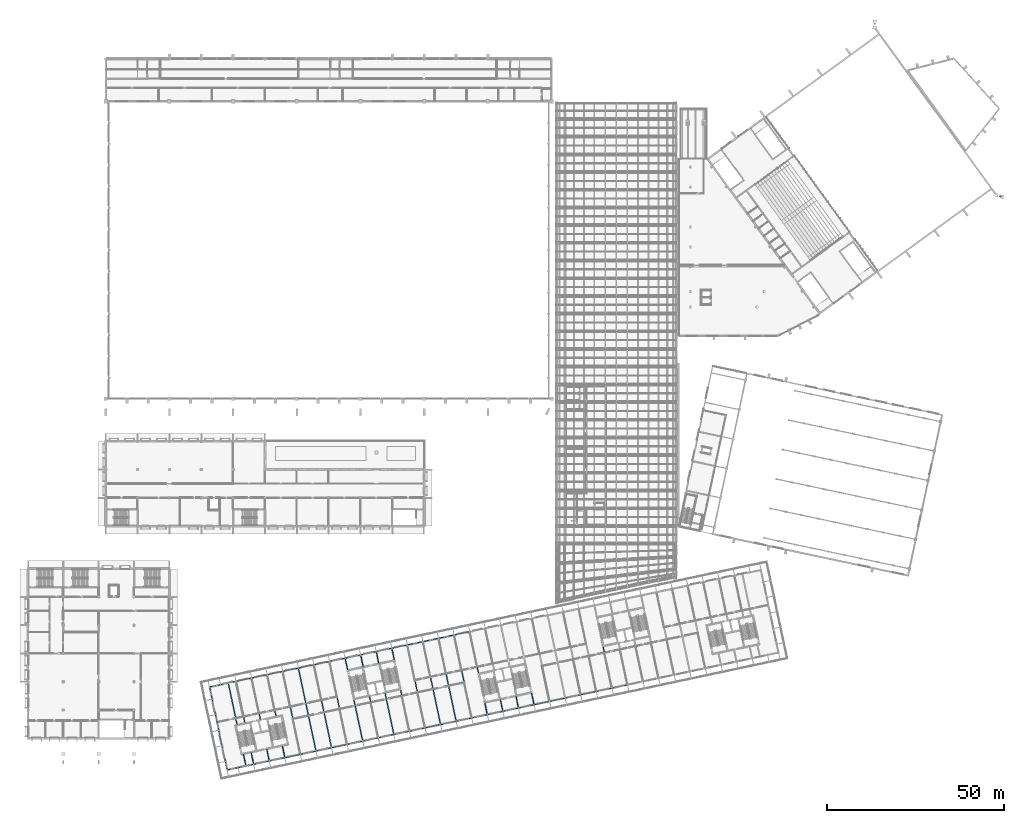
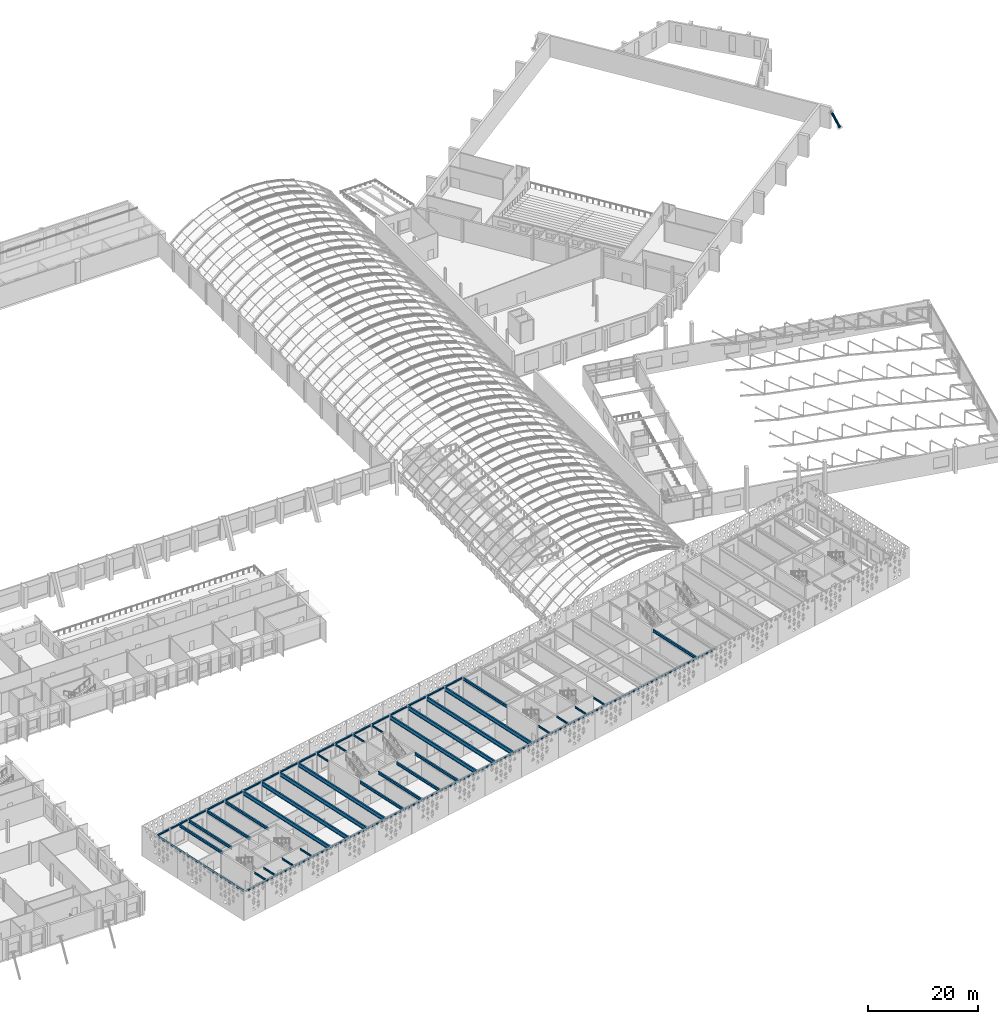
# One storey, part 28 of 182: 79 beams, 1 column.
"""IFC4 building model written with IfcOpenShell, lengths in metres."""

from ifc_helpers import new_model, si_unit, direction, frame, origin, origin_2d, place, context, subcontext, project, spatial, hollow_circle, i_section, extrude, material, material_profile, profile_set, type_object, element, save


model = new_model("IFC4")

# Units and contexts
model_context = context("Model", 3, precision=1e-05, world=origin(), true_north=direction((0.0, 1.0)))
body_context = subcontext(model_context, "Body", "Model", "MODEL_VIEW")
ifc_project = project(units=[si_unit("LENGTHUNIT", "METRE"), si_unit("AREAUNIT", "SQUARE_METRE"), si_unit("VOLUMEUNIT", "CUBIC_METRE"), si_unit("PLANEANGLEUNIT", "RADIAN"), si_unit("MASSUNIT", "GRAM", prefix="KILO")], contexts=[model_context])

# Site, building, storey
site_placement = place(None, origin())
site = spatial("IfcSite", under=ifc_project, at=site_placement, CompositionType="ELEMENT")
building_placement = place(site_placement, origin())
building = spatial("IfcBuilding", under=site, at=building_placement, Name="Okhra Congress Centre", CompositionType="ELEMENT")
storey_placement = place(building_placement, frame((0.0, 0.0, 7.199951171875)))
storey = spatial("IfcBuildingStorey", under=building, at=storey_placement, Name="L01", CompositionType="ELEMENT", Elevation=7.199951171875)

# Column
ifc_material_1 = material(Name="Steel S355J2H", Category="steel")
ifc_material_profile_1 = material_profile(ifc_material_1, hollow_circle(Radius=0.25390625, WallThickness=0.01611328125, at=origin_2d()), Name="CHS 508x16")
ifc_profile_set_1 = profile_set([ifc_material_profile_1], Name="Steel S355J2H")
column_type = type_object("IfcColumnType", Name="CHS 508x16", PredefinedType="COLUMN", material=ifc_profile_set_1)
column_placement = place(storey_placement, frame((281.2509765625, 189.1015625, 0.0), z_axis=(-0.375275928942, 0.100345906224, 0.921465504651), x_axis=(-0.258317087061, -0.966060185771, 0.0)))
element("IfcColumn", 1, at=column_placement, inside=storey, type_object=column_type, Name="Corner prop 1 upper", PredefinedType="COLUMN", context=body_context, shape_type="SweptSolid", body=[
    extrude(hollow_circle(Radius=0.25390625, WallThickness=0.01611328125, at=origin_2d()), origin(), (0.0, 0.0, 1.0), 4.1240234375),
])

# Beams
ifc_material_2 = material(Name="Steel S355J2", Category="steel")
ifc_material_profile_2 = material_profile(ifc_material_2, i_section(OverallWidth=0.300048828125, OverallDepth=0.2900390625, WebThickness=0.008544921875, FlangeThickness=0.013916015625, FilletRadius=0.027099609375, at=origin_2d()), Name="HE 300 A")
ifc_profile_set_2 = profile_set([ifc_material_profile_2], Name="Steel S355J2")
beam_type_1 = type_object("IfcBeamType", Name="Edge beam HE 300 A", PredefinedType="BEAM", material=ifc_profile_set_2)
beam_1_placement = place(storey_placement, frame((62.453857421875, 27.115966796875, 4.505126953125), z_axis=(0.978151512004, 0.207893288886, 0.0), x_axis=(-0.207893288886, 0.978151512004, 0.0)))
element("IfcBeam", 2, at=beam_1_placement, inside=storey, type_object=beam_type_1, Name="Edge beam S1", PredefinedType="BEAM", context=body_context, shape_type="SweptSolid", body=[
    extrude(i_section(OverallWidth=0.300048828125, OverallDepth=0.2900390625, WebThickness=0.008544921875, FlangeThickness=0.013916015625, FilletRadius=0.027099609375, at=origin_2d()), origin(), (0.0, 0.0, 1.0), 2.874755859375),
])
beam_2_placement = place(storey_placement, frame((65.559326171875, 27.776123046875, 4.505126953125), z_axis=(0.978155748334, 0.207873355681, 0.0), x_axis=(-0.207873355681, 0.978155748334, 0.0)))
element("IfcBeam", 3, at=beam_2_placement, inside=storey, type_object=beam_type_1, Name="Edge beam S2", PredefinedType="BEAM", context=body_context, shape_type="SweptSolid", body=[
    extrude(i_section(OverallWidth=0.300048828125, OverallDepth=0.2900390625, WebThickness=0.008544921875, FlangeThickness=0.013916015625, FilletRadius=0.027099609375, at=origin_2d()), origin(), (0.0, 0.0, 1.0), 4.199951171875),
])
beam_3_placement = place(storey_placement, frame((69.9609375, 28.711669921875, 4.505126953125), z_axis=(0.978146440129, 0.207917150959, 0.0), x_axis=(-0.207917150959, 0.978146440129, 0.0)))
element("IfcBeam", 4, at=beam_3_placement, inside=storey, type_object=beam_type_1, Name="Edge beam S3", PredefinedType="BEAM", context=body_context, shape_type="SweptSolid", body=[
    extrude(i_section(OverallWidth=0.300048828125, OverallDepth=0.2900390625, WebThickness=0.008544921875, FlangeThickness=0.013916015625, FilletRadius=0.027099609375, at=origin_2d()), origin(), (0.0, 0.0, 1.0), 4.2001953125),
])
for number, where, z_axis, x_axis, name in (
    (5, (74.36279296875, 29.647216796875, 4.505126953125), (0.978143927149, 0.207928972925, 0.0), (-0.207928972925, 0.978143927149, 0.0), "Edge beam S4"),
    (6, (78.764404296875, 30.582763671875, 4.505126953125), (0.978143927149, 0.207928972925, 0.0), (-0.207928972925, 0.978143927149, 0.0), "Edge beam S5"),
    (7, (83.166015625, 31.5185546875, 4.505126953125), (0.978155748334, 0.207873355681, 0.0), (-0.207873355681, 0.978155748334, 0.0), "Edge beam S6"),
):
    element("IfcBeam", number, at=place(storey_placement, frame(where, z_axis=z_axis, x_axis=x_axis)), inside=storey, type_object=beam_type_1, Name=name, PredefinedType="BEAM", context=body_context, shape_type="SweptSolid", body=[
        extrude(i_section(OverallWidth=0.300048828125, OverallDepth=0.2900390625, WebThickness=0.008544921875, FlangeThickness=0.013916015625, FilletRadius=0.027099609375, at=origin_2d()), origin(), (0.0, 0.0, 1.0), 4.199951171875),
    ])
beam_4_placement = place(storey_placement, frame((87.567626953125, 32.4541015625, 4.505126953125), z_axis=(0.97815826, 0.207861536591, 0.0), x_axis=(-0.207861536591, 0.97815826, 0.0)))
element("IfcBeam", 8, at=beam_4_placement, inside=storey, type_object=beam_type_1, Name="Edge beam S7", PredefinedType="BEAM", context=body_context, shape_type="SweptSolid", body=[
    extrude(i_section(OverallWidth=0.300048828125, OverallDepth=0.2900390625, WebThickness=0.008544921875, FlangeThickness=0.013916015625, FilletRadius=0.027099609375, at=origin_2d()), origin(), (0.0, 0.0, 1.0), 4.2001953125),
])
for number, where, z_axis, x_axis, name in (
    (9, (91.969482421875, 33.3896484375, 4.505126953125), (0.978143927149, 0.207928972925, 0.0), (-0.207928972925, 0.978143927149, 0.0), "Edge beam S8"),
    (10, (96.37109375, 34.3251953125, 4.505126953125), (0.978143927149, 0.207928972925, 0.0), (-0.207928972925, 0.978143927149, 0.0), "Edge beam S9"),
    (11, (100.772705078125, 35.2607421875, 4.505126953125), (0.978143927149, 0.207928972925, 0.0), (-0.207928972925, 0.978143927149, 0.0), "Edge beam S10"),
    (12, (105.17431640625, 36.196533203125, 4.505126953125), (0.978155748334, 0.207873355681, 0.0), (-0.207873355681, 0.978155748334, 0.0), "Edge beam S11"),
):
    element("IfcBeam", number, at=place(storey_placement, frame(where, z_axis=z_axis, x_axis=x_axis)), inside=storey, type_object=beam_type_1, Name=name, PredefinedType="BEAM", context=body_context, shape_type="SweptSolid", body=[
        extrude(i_section(OverallWidth=0.300048828125, OverallDepth=0.2900390625, WebThickness=0.008544921875, FlangeThickness=0.013916015625, FilletRadius=0.027099609375, at=origin_2d()), origin(), (0.0, 0.0, 1.0), 4.199951171875),
    ])
beam_5_placement = place(storey_placement, frame((109.575927734375, 37.132080078125, 4.505126953125), z_axis=(0.978146440129, 0.207917150959, 0.0), x_axis=(-0.207917150959, 0.978146440129, 0.0)))
element("IfcBeam", 13, at=beam_5_placement, inside=storey, type_object=beam_type_1, Name="Edge beam S12", PredefinedType="BEAM", context=body_context, shape_type="SweptSolid", body=[
    extrude(i_section(OverallWidth=0.300048828125, OverallDepth=0.2900390625, WebThickness=0.008544921875, FlangeThickness=0.013916015625, FilletRadius=0.027099609375, at=origin_2d()), origin(), (0.0, 0.0, 1.0), 4.2001953125),
])
for number, where, z_axis, x_axis, name in (
    (14, (113.977783203125, 38.067626953125, 4.505126953125), (0.978143927149, 0.207928972925, 0.0), (-0.207928972925, 0.978143927149, 0.0), "Edge beam S13"),
    (15, (118.37939453125, 39.003173828125, 4.505126953125), (0.978143927149, 0.207928972925, 0.0), (-0.207928972925, 0.978143927149, 0.0), "Edge beam S14"),
    (16, (122.781005859375, 39.93896484375, 4.505126953125), (0.978155748334, 0.207873355681, 0.0), (-0.207873355681, 0.978155748334, 0.0), "Edge beam S15"),
):
    element("IfcBeam", number, at=place(storey_placement, frame(where, z_axis=z_axis, x_axis=x_axis)), inside=storey, type_object=beam_type_1, Name=name, PredefinedType="BEAM", context=body_context, shape_type="SweptSolid", body=[
        extrude(i_section(OverallWidth=0.300048828125, OverallDepth=0.2900390625, WebThickness=0.008544921875, FlangeThickness=0.013916015625, FilletRadius=0.027099609375, at=origin_2d()), origin(), (0.0, 0.0, 1.0), 4.199951171875),
    ])
for number, where, z_axis, x_axis, name in (
    (17, (127.1826171875, 40.87451171875, 4.505126953125), (0.978146440129, 0.207917150959, 0.0), (-0.207917150959, 0.978146440129, 0.0), "Edge beam S16"),
    (18, (131.584228515625, 41.81005859375, 4.505126953125), (0.978146440129, 0.207917150959, 0.0), (-0.207917150959, 0.978146440129, 0.0), "Edge beam S17"),
):
    element("IfcBeam", number, at=place(storey_placement, frame(where, z_axis=z_axis, x_axis=x_axis)), inside=storey, type_object=beam_type_1, Name=name, PredefinedType="BEAM", context=body_context, shape_type="SweptSolid", body=[
        extrude(i_section(OverallWidth=0.300048828125, OverallDepth=0.2900390625, WebThickness=0.008544921875, FlangeThickness=0.013916015625, FilletRadius=0.027099609375, at=origin_2d()), origin(), (0.0, 0.0, 1.0), 4.2001953125),
    ])
for number, where, z_axis, x_axis, name in (
    (19, (135.986083984375, 42.74560546875, 4.505126953125), (0.978143927149, 0.207928972925, 0.0), (-0.207928972925, 0.978143927149, 0.0), "Edge beam S18"),
    (20, (140.3876953125, 43.68115234375, 4.505126953125), (0.978143927149, 0.207928972925, 0.0), (-0.207928972925, 0.978143927149, 0.0), "Edge beam S19"),
    (21, (144.789306640625, 44.616943359375, 4.505126953125), (0.978155748334, 0.207873355681, 0.0), (-0.207873355681, 0.978155748334, 0.0), "Edge beam S20"),
):
    element("IfcBeam", number, at=place(storey_placement, frame(where, z_axis=z_axis, x_axis=x_axis)), inside=storey, type_object=beam_type_1, Name=name, PredefinedType="BEAM", context=body_context, shape_type="SweptSolid", body=[
        extrude(i_section(OverallWidth=0.300048828125, OverallDepth=0.2900390625, WebThickness=0.008544921875, FlangeThickness=0.013916015625, FilletRadius=0.027099609375, at=origin_2d()), origin(), (0.0, 0.0, 1.0), 4.199951171875),
    ])
beam_6_placement = place(storey_placement, frame((149.19091796875, 45.552490234375, 4.505126953125), z_axis=(0.978146440129, 0.207917150959, 0.0), x_axis=(-0.207917150959, 0.978146440129, 0.0)))
element("IfcBeam", 22, at=beam_6_placement, inside=storey, type_object=beam_type_1, Name="Edge beam S21", PredefinedType="BEAM", context=body_context, shape_type="SweptSolid", body=[
    extrude(i_section(OverallWidth=0.300048828125, OverallDepth=0.2900390625, WebThickness=0.008544921875, FlangeThickness=0.013916015625, FilletRadius=0.027099609375, at=origin_2d()), origin(), (0.0, 0.0, 1.0), 4.2001953125),
])
for number, where, z_axis, x_axis, name in (
    (23, (153.5927734375, 46.488037109375, 4.505126953125), (0.978143927149, 0.207928972925, 0.0), (-0.207928972925, 0.978143927149, 0.0), "Edge beam S22"),
    (24, (157.994384765625, 47.423583984375, 4.505126953125), (0.978143927149, 0.207928972925, 0.0), (-0.207928972925, 0.978143927149, 0.0), "Edge beam S23"),
    (25, (162.39599609375, 48.359375, 4.505126953125), (0.978155748334, 0.207873355681, 0.0), (-0.207873355681, 0.978155748334, 0.0), "Edge beam S24"),
    (26, (166.797607421875, 49.294921875, 4.505126953125), (0.978143927149, 0.207928972925, 0.0), (-0.207928972925, 0.978143927149, 0.0), "Edge beam S25"),
):
    element("IfcBeam", number, at=place(storey_placement, frame(where, z_axis=z_axis, x_axis=x_axis)), inside=storey, type_object=beam_type_1, Name=name, PredefinedType="BEAM", context=body_context, shape_type="SweptSolid", body=[
        extrude(i_section(OverallWidth=0.300048828125, OverallDepth=0.2900390625, WebThickness=0.008544921875, FlangeThickness=0.013916015625, FilletRadius=0.027099609375, at=origin_2d()), origin(), (0.0, 0.0, 1.0), 4.199951171875),
    ])
beam_7_placement = place(storey_placement, frame((171.19921875, 50.23046875, 4.505126953125), z_axis=(0.978146440129, 0.207917150959, 0.0), x_axis=(-0.207917150959, 0.978146440129, 0.0)))
element("IfcBeam", 27, at=beam_7_placement, inside=storey, type_object=beam_type_1, Name="Edge beam S26", PredefinedType="BEAM", context=body_context, shape_type="SweptSolid", body=[
    extrude(i_section(OverallWidth=0.300048828125, OverallDepth=0.2900390625, WebThickness=0.008544921875, FlangeThickness=0.013916015625, FilletRadius=0.027099609375, at=origin_2d()), origin(), (0.0, 0.0, 1.0), 4.2001953125),
])
beam_8_placement = place(storey_placement, frame((57.4638671875, 50.591552734375, 4.505126953125), z_axis=(0.978155181918, 0.207876020951, 0.0), x_axis=(-0.207876020951, 0.978155181918, 0.0)))
element("IfcBeam", 28, at=beam_8_placement, inside=storey, type_object=beam_type_1, Name="Edge beam N1", PredefinedType="BEAM", context=body_context, shape_type="SweptSolid", body=[
    extrude(i_section(OverallWidth=0.300048828125, OverallDepth=0.2900390625, WebThickness=0.008544921875, FlangeThickness=0.013916015625, FilletRadius=0.027099609375, at=origin_2d()), origin(), (0.0, 0.0, 1.0), 2.875),
])
for number, where, z_axis, x_axis, name in (
    (29, (60.569580078125, 51.25146484375, 4.505126953125), (0.978143927149, 0.207928972925, 0.0), (-0.207928972925, 0.978143927149, 0.0), "Edge beam N2"),
    (30, (64.97119140625, 52.187255859375, 4.505126953125), (0.978155748334, 0.207873355681, 0.0), (-0.207873355681, 0.978155748334, 0.0), "Edge beam N3"),
    (31, (69.372802734375, 53.122802734375, 4.505126953125), (0.978143927149, 0.207928972925, 0.0), (-0.207928972925, 0.978143927149, 0.0), "Edge beam N4"),
):
    element("IfcBeam", number, at=place(storey_placement, frame(where, z_axis=z_axis, x_axis=x_axis)), inside=storey, type_object=beam_type_1, Name=name, PredefinedType="BEAM", context=body_context, shape_type="SweptSolid", body=[
        extrude(i_section(OverallWidth=0.300048828125, OverallDepth=0.2900390625, WebThickness=0.008544921875, FlangeThickness=0.013916015625, FilletRadius=0.027099609375, at=origin_2d()), origin(), (0.0, 0.0, 1.0), 4.199951171875),
    ])
beam_9_placement = place(storey_placement, frame((73.7744140625, 54.058349609375, 4.505126953125), z_axis=(0.978146440129, 0.207917150959, 0.0), x_axis=(-0.207917150959, 0.978146440129, 0.0)))
element("IfcBeam", 32, at=beam_9_placement, inside=storey, type_object=beam_type_1, Name="Edge beam N5", PredefinedType="BEAM", context=body_context, shape_type="SweptSolid", body=[
    extrude(i_section(OverallWidth=0.300048828125, OverallDepth=0.2900390625, WebThickness=0.008544921875, FlangeThickness=0.013916015625, FilletRadius=0.027099609375, at=origin_2d()), origin(), (0.0, 0.0, 1.0), 4.2001953125),
])
for number, where, z_axis, x_axis, name in (
    (33, (78.17626953125, 54.993896484375, 4.505126953125), (0.978143927149, 0.207928972925, 0.0), (-0.207928972925, 0.978143927149, 0.0), "Edge beam N6"),
    (34, (82.577880859375, 55.9296875, 4.505126953125), (0.978155748334, 0.207873355681, 0.0), (-0.207873355681, 0.978155748334, 0.0), "Edge beam N7"),
    (35, (86.9794921875, 56.865234375, 4.505126953125), (0.978143927149, 0.207928972925, 0.0), (-0.207928972925, 0.978143927149, 0.0), "Edge beam N8"),
    (36, (91.381103515625, 57.80078125, 4.505126953125), (0.978143927149, 0.207928972925, 0.0), (-0.207928972925, 0.978143927149, 0.0), "Edge beam N9"),
):
    element("IfcBeam", number, at=place(storey_placement, frame(where, z_axis=z_axis, x_axis=x_axis)), inside=storey, type_object=beam_type_1, Name=name, PredefinedType="BEAM", context=body_context, shape_type="SweptSolid", body=[
        extrude(i_section(OverallWidth=0.300048828125, OverallDepth=0.2900390625, WebThickness=0.008544921875, FlangeThickness=0.013916015625, FilletRadius=0.027099609375, at=origin_2d()), origin(), (0.0, 0.0, 1.0), 4.199951171875),
    ])
beam_10_placement = place(storey_placement, frame((95.78271484375, 58.736328125, 4.505126953125), z_axis=(0.978146440129, 0.207917150959, 0.0), x_axis=(-0.207917150959, 0.978146440129, 0.0)))
element("IfcBeam", 37, at=beam_10_placement, inside=storey, type_object=beam_type_1, Name="Edge beam N10", PredefinedType="BEAM", context=body_context, shape_type="SweptSolid", body=[
    extrude(i_section(OverallWidth=0.300048828125, OverallDepth=0.2900390625, WebThickness=0.008544921875, FlangeThickness=0.013916015625, FilletRadius=0.027099609375, at=origin_2d()), origin(), (0.0, 0.0, 1.0), 4.2001953125),
])
for number, where, z_axis, x_axis, name in (
    (38, (100.1845703125, 59.671875, 4.505126953125), (0.978143927149, 0.207928972925, 0.0), (-0.207928972925, 0.978143927149, 0.0), "Edge beam N11"),
    (39, (104.586181640625, 60.607666015625, 4.505126953125), (0.978155748334, 0.207873355681, 0.0), (-0.207873355681, 0.978155748334, 0.0), "Edge beam N12"),
    (40, (108.98779296875, 61.543212890625, 4.505126953125), (0.978143927149, 0.207928972925, 0.0), (-0.207928972925, 0.978143927149, 0.0), "Edge beam N13"),
):
    element("IfcBeam", number, at=place(storey_placement, frame(where, z_axis=z_axis, x_axis=x_axis)), inside=storey, type_object=beam_type_1, Name=name, PredefinedType="BEAM", context=body_context, shape_type="SweptSolid", body=[
        extrude(i_section(OverallWidth=0.300048828125, OverallDepth=0.2900390625, WebThickness=0.008544921875, FlangeThickness=0.013916015625, FilletRadius=0.027099609375, at=origin_2d()), origin(), (0.0, 0.0, 1.0), 4.199951171875),
    ])
for number, where, z_axis, x_axis, name in (
    (41, (113.389404296875, 62.478759765625, 4.505126953125), (0.978146440129, 0.207917150959, 0.0), (-0.207917150959, 0.978146440129, 0.0), "Edge beam N14"),
    (42, (117.791015625, 63.414306640625, 4.505126953125), (0.978146440129, 0.207917150959, 0.0), (-0.207917150959, 0.978146440129, 0.0), "Edge beam N15"),
):
    element("IfcBeam", number, at=place(storey_placement, frame(where, z_axis=z_axis, x_axis=x_axis)), inside=storey, type_object=beam_type_1, Name=name, PredefinedType="BEAM", context=body_context, shape_type="SweptSolid", body=[
        extrude(i_section(OverallWidth=0.300048828125, OverallDepth=0.2900390625, WebThickness=0.008544921875, FlangeThickness=0.013916015625, FilletRadius=0.027099609375, at=origin_2d()), origin(), (0.0, 0.0, 1.0), 4.2001953125),
    ])
for number, where, z_axis, x_axis, name in (
    (43, (122.19287109375, 64.35009765625, 4.505126953125), (0.978155748334, 0.207873355681, 0.0), (-0.207873355681, 0.978155748334, 0.0), "Edge beam N16"),
    (44, (126.594482421875, 65.28564453125, 4.505126953125), (0.978143927149, 0.207928972925, 0.0), (-0.207928972925, 0.978143927149, 0.0), "Edge beam N17"),
):
    element("IfcBeam", number, at=place(storey_placement, frame(where, z_axis=z_axis, x_axis=x_axis)), inside=storey, type_object=beam_type_1, Name=name, PredefinedType="BEAM", context=body_context, shape_type="SweptSolid", body=[
        extrude(i_section(OverallWidth=0.300048828125, OverallDepth=0.2900390625, WebThickness=0.008544921875, FlangeThickness=0.013916015625, FilletRadius=0.027099609375, at=origin_2d()), origin(), (0.0, 0.0, 1.0), 4.199951171875),
    ])
beam_11_placement = place(storey_placement, frame((62.26123046875, 27.2998046875, 4.505126953125), z_axis=(-0.207834022607, 0.978164106399, 0.0), x_axis=(-0.978164106399, -0.207834022607, 0.0)))
element("IfcBeam", 45, at=beam_11_placement, inside=storey, type_object=beam_type_1, Name="Edge beam W1", PredefinedType="BEAM", context=body_context, shape_type="SweptSolid", body=[
    extrude(i_section(OverallWidth=0.300048828125, OverallDepth=0.2900390625, WebThickness=0.008544921875, FlangeThickness=0.013916015625, FilletRadius=0.027099609375, at=origin_2d()), origin(), (0.0, 0.0, 1.0), 2.125),
])
beam_12_placement = place(storey_placement, frame((61.757080078125, 29.671875, 4.505126953125), z_axis=(-0.207928972925, 0.978143927149, 0.0), x_axis=(-0.978143927149, -0.207928972925, 0.0)))
element("IfcBeam", 46, at=beam_12_placement, inside=storey, type_object=beam_type_1, Name="Edge beam W2", PredefinedType="BEAM", context=body_context, shape_type="SweptSolid", body=[
    extrude(i_section(OverallWidth=0.300048828125, OverallDepth=0.2900390625, WebThickness=0.008544921875, FlangeThickness=0.013916015625, FilletRadius=0.027099609375, at=origin_2d()), origin(), (0.0, 0.0, 1.0), 4.199951171875),
])
beam_13_placement = place(storey_placement, frame((60.821533203125, 34.073486328125, 4.505126953125), z_axis=(-0.207917150959, 0.978146440129, 0.0), x_axis=(-0.978146440129, -0.207917150959, 0.0)))
element("IfcBeam", 47, at=beam_13_placement, inside=storey, type_object=beam_type_1, Name="Edge beam W3", PredefinedType="BEAM", context=body_context, shape_type="SweptSolid", body=[
    extrude(i_section(OverallWidth=0.300048828125, OverallDepth=0.2900390625, WebThickness=0.008544921875, FlangeThickness=0.013916015625, FilletRadius=0.027099609375, at=origin_2d()), origin(), (0.0, 0.0, 1.0), 4.2001953125),
])
for number, where, z_axis, x_axis, name in (
    (48, (59.885986328125, 38.475341796875, 4.505126953125), (-0.207928972925, 0.978143927149, 0.0), (-0.978143927149, -0.207928972925, 0.0), "Edge beam W4"),
    (49, (58.9501953125, 42.876953125, 4.505126953125), (-0.207873355681, 0.978155748334, 0.0), (-0.978155748334, -0.207873355681, 0.0), "Edge beam W5"),
):
    element("IfcBeam", number, at=place(storey_placement, frame(where, z_axis=z_axis, x_axis=x_axis)), inside=storey, type_object=beam_type_1, Name=name, PredefinedType="BEAM", context=body_context, shape_type="SweptSolid", body=[
        extrude(i_section(OverallWidth=0.300048828125, OverallDepth=0.2900390625, WebThickness=0.008544921875, FlangeThickness=0.013916015625, FilletRadius=0.027099609375, at=origin_2d()), origin(), (0.0, 0.0, 1.0), 4.199951171875),
    ])
beam_14_placement = place(storey_placement, frame((58.0146484375, 47.278564453125, 4.505126953125), z_axis=(-0.207933268122, 0.978143014087, 0.0), x_axis=(-0.978143014087, -0.207933268122, 0.0)))
element("IfcBeam", 50, at=beam_14_placement, inside=storey, type_object=beam_type_1, Name="Edge beam W6", PredefinedType="BEAM", context=body_context, shape_type="SweptSolid", body=[
    extrude(i_section(OverallWidth=0.300048828125, OverallDepth=0.2900390625, WebThickness=0.008544921875, FlangeThickness=0.013916015625, FilletRadius=0.027099609375, at=origin_2d()), origin(), (0.0, 0.0, 1.0), 3.135009765625),
])
ifc_material_profile_3 = material_profile(ifc_material_2, i_section(OverallWidth=0.300048828125, OverallDepth=0.590087890625, WebThickness=0.012939453125, FlangeThickness=0.02490234375, FilletRadius=0.027099609375, at=origin_2d()), Name="HE 600 A")
ifc_profile_set_3 = profile_set([ifc_material_profile_3], Name="Steel S355J2")
beam_type_2 = type_object("IfcBeamType", Name="Floor beam HE 600 A", PredefinedType="BEAM", material=ifc_profile_set_3)
for number, where, z_axis, x_axis, name in (
    (51, (65.123779296875, 39.926025390625, 4.35498046875), (-0.207910203977, 0.97814791677, 0.0), (-0.97814791677, -0.207910203977, 0.0), "Floor beam 1.2"),
    (52, (67.324462890625, 40.393798828125, 4.35498046875), (-0.207910203977, 0.97814791677, 0.0), (-0.97814791677, -0.207910203977, 0.0), "Floor beam 2.2"),
):
    element("IfcBeam", number, at=place(storey_placement, frame(where, z_axis=z_axis, x_axis=x_axis)), inside=storey, type_object=beam_type_2, Name=name, PredefinedType="BEAM", context=body_context, shape_type="SweptSolid", body=[
        extrude(i_section(OverallWidth=0.300048828125, OverallDepth=0.590087890625, WebThickness=0.012939453125, FlangeThickness=0.02490234375, FilletRadius=0.027099609375, at=origin_2d()), origin(), (0.0, 0.0, 1.0), 11.804931640625),
    ])
for number, where, z_axis, x_axis, name in (
    (53, (71.726318359375, 41.329345703125, 4.35498046875), (-0.207925785074, 0.978144604801, 0.0), (-0.978144604801, -0.207925785074, 0.0), "Floor beam 3.2"),
    (54, (76.1279296875, 42.264892578125, 4.35498046875), (-0.207905998145, 0.978148810731, 0.0), (-0.978148810731, -0.207905998145, 0.0), "Floor beam 4.2"),
    (55, (100.580322265625, 35.44482421875, 4.35498046875), (-0.207925785074, 0.978144604801, 0.0), (-0.978144604801, -0.207925785074, 0.0), "Floor beam 9.1"),
    (56, (104.98193359375, 36.38037109375, 4.35498046875), (-0.207905998145, 0.978148810731, 0.0), (-0.978148810731, -0.207905998145, 0.0), "Floor beam 10.1"),
):
    element("IfcBeam", number, at=place(storey_placement, frame(where, z_axis=z_axis, x_axis=x_axis)), inside=storey, type_object=beam_type_2, Name=name, PredefinedType="BEAM", context=body_context, shape_type="SweptSolid", body=[
        extrude(i_section(OverallWidth=0.300048828125, OverallDepth=0.590087890625, WebThickness=0.012939453125, FlangeThickness=0.02490234375, FilletRadius=0.027099609375, at=origin_2d()), origin(), (0.0, 0.0, 1.0), 11.80517578125),
    ])
for number, where, z_axis, x_axis, name in (
    (57, (109.383544921875, 37.316162109375, 4.35498046875), (-0.207910203977, 0.97814791677, 0.0), (-0.97814791677, -0.207910203977, 0.0), "Floor beam 11.1"),
    (58, (113.78515625, 38.251708984375, 4.35498046875), (-0.207910203977, 0.97814791677, 0.0), (-0.97814791677, -0.207910203977, 0.0), "Floor beam 12.1"),
):
    element("IfcBeam", number, at=place(storey_placement, frame(where, z_axis=z_axis, x_axis=x_axis)), inside=storey, type_object=beam_type_2, Name=name, PredefinedType="BEAM", context=body_context, shape_type="SweptSolid", body=[
        extrude(i_section(OverallWidth=0.300048828125, OverallDepth=0.590087890625, WebThickness=0.012939453125, FlangeThickness=0.02490234375, FilletRadius=0.027099609375, at=origin_2d()), origin(), (0.0, 0.0, 1.0), 11.804931640625),
    ])
beam_15_placement = place(storey_placement, frame((133.349609375, 54.427734375, 4.35498046875), z_axis=(-0.207905998145, 0.978148810731, 0.0), x_axis=(-0.978148810731, -0.207905998145, 0.0)))
element("IfcBeam", 59, at=beam_15_placement, inside=storey, type_object=beam_type_2, Name="Floor beam 17.2", PredefinedType="BEAM", context=body_context, shape_type="SweptSolid", body=[
    extrude(i_section(OverallWidth=0.300048828125, OverallDepth=0.590087890625, WebThickness=0.012939453125, FlangeThickness=0.02490234375, FilletRadius=0.027099609375, at=origin_2d()), origin(), (0.0, 0.0, 1.0), 11.80517578125),
])
beam_16_placement = place(storey_placement, frame((171.0068359375, 50.41455078125, 4.35498046875), z_axis=(-0.207910203977, 0.97814791677, 0.0), x_axis=(-0.97814791677, -0.207910203977, 0.0)))
element("IfcBeam", 60, at=beam_16_placement, inside=storey, type_object=beam_type_2, Name="Floor beam 25.1", PredefinedType="BEAM", context=body_context, shape_type="SweptSolid", body=[
    extrude(i_section(OverallWidth=0.300048828125, OverallDepth=0.590087890625, WebThickness=0.012939453125, FlangeThickness=0.02490234375, FilletRadius=0.027099609375, at=origin_2d()), origin(), (0.0, 0.0, 1.0), 11.804931640625),
])
ifc_material_profile_4 = material_profile(ifc_material_2, i_section(OverallWidth=0.300048828125, OverallDepth=0.889892578125, WebThickness=0.01611328125, FlangeThickness=0.030029296875, FilletRadius=0.030029296875, at=origin_2d()), Name="HE 900 A")
ifc_profile_set_4 = profile_set([ifc_material_profile_4], Name="Steel S355J2")
beam_type_3 = type_object("IfcBeamType", Name="Floor beam HE 900 A", PredefinedType="BEAM", material=ifc_profile_set_4)
for number, where, z_axis, x_axis, name in (
    (61, (82.9736328125, 31.702392578125, 4.205078125), (-0.207913162874, 0.978147287837, 0.0), (-0.978147287837, -0.207913162874, 0.0), "Floor beam 5.1"),
    (62, (87.375244140625, 32.637939453125, 4.205078125), (-0.207913162874, 0.978147287837, 0.0), (-0.978147287837, -0.207913162874, 0.0), "Floor beam 6.1"),
    (63, (91.77685546875, 33.57373046875, 4.205078125), (-0.207913162874, 0.978147287837, 0.0), (-0.978147287837, -0.207913162874, 0.0), "Floor beam 7.1"),
    (64, (96.178466796875, 34.50927734375, 4.205078125), (-0.207903248293, 0.97814939521, 0.0), (-0.97814939521, -0.207903248293, 0.0), "Floor beam 8.1"),
    (65, (118.186767578125, 39.187255859375, 4.205078125), (-0.207903248293, 0.97814939521, 0.0), (-0.97814939521, -0.207903248293, 0.0), "Floor beam 13.1"),
    (66, (122.588623046875, 40.122802734375, 4.205078125), (-0.207913162874, 0.978147287837, 0.0), (-0.978147287837, -0.207913162874, 0.0), "Floor beam 14.1"),
    (67, (126.990234375, 41.058349609375, 4.205078125), (-0.207913162874, 0.978147287837, 0.0), (-0.978147287837, -0.207913162874, 0.0), "Floor beam 15.1"),
    (68, (131.391845703125, 41.994140625, 4.205078125), (-0.207913162874, 0.978147287837, 0.0), (-0.978147287837, -0.207913162874, 0.0), "Floor beam 16.1"),
):
    element("IfcBeam", number, at=place(storey_placement, frame(where, z_axis=z_axis, x_axis=x_axis)), inside=storey, type_object=beam_type_3, Name=name, PredefinedType="BEAM", context=body_context, shape_type="SweptSolid", body=[
        extrude(i_section(OverallWidth=0.300048828125, OverallDepth=0.889892578125, WebThickness=0.01611328125, FlangeThickness=0.030029296875, FilletRadius=0.030029296875, at=origin_2d()), origin(), (0.0, 0.0, 1.0), 23.56005859375),
    ])
ifc_material_profile_5 = material_profile(ifc_material_2, i_section(OverallWidth=0.179931640625, OverallDepth=0.39990234375, WebThickness=0.008544921875, FlangeThickness=0.013427734375, FilletRadius=0.02099609375, at=origin_2d()), Name="IPE 400")
ifc_profile_set_5 = profile_set([ifc_material_profile_5], Name="Steel S355J2")
beam_type_4 = type_object("IfcBeamType", Name="Floor beam stub IPE 400", PredefinedType="BEAM", material=ifc_profile_set_5)
beam_17_placement = place(storey_placement, frame((67.567626953125, 28.427734375, 4.449951171875), z_axis=(-0.207843022952, 0.97816219402, 0.0), x_axis=(-0.97816219402, -0.207843022952, 0.0)))
element("IfcBeam", 69, at=beam_17_placement, inside=storey, type_object=beam_type_4, Name="Floor beam 1.1", PredefinedType="BEAM", context=body_context, shape_type="SweptSolid", body=[
    extrude(i_section(OverallWidth=0.179931640625, OverallDepth=0.39990234375, WebThickness=0.008544921875, FlangeThickness=0.013427734375, FilletRadius=0.02099609375, at=origin_2d()), origin(), (0.0, 0.0, 1.0), 3.155029296875),
])
for number, where, z_axis, x_axis, name in (
    (70, (69.7685546875, 28.895751953125, 4.449951171875), (-0.207932796537, 0.978143114337, 0.0), (-0.978143114337, -0.207932796537, 0.0), "Floor beam 2.1"),
    (71, (74.170166015625, 29.831298828125, 4.449951171875), (-0.207932796537, 0.978143114337, 0.0), (-0.978143114337, -0.207932796537, 0.0), "Floor beam 3.1"),
    (72, (78.572021484375, 30.766845703125, 4.449951171875), (-0.207932796537, 0.978143114337, 0.0), (-0.978143114337, -0.207932796537, 0.0), "Floor beam 4.1"),
    (73, (96.337890625, 55.404052734375, 4.449951171875), (-0.207932796537, 0.978143114337, 0.0), (-0.978143114337, -0.207932796537, 0.0), "Floor beam 9.2"),
    (74, (100.739501953125, 56.339599609375, 4.449951171875), (-0.207932796537, 0.978143114337, 0.0), (-0.978143114337, -0.207932796537, 0.0), "Floor beam 10.2"),
):
    element("IfcBeam", number, at=place(storey_placement, frame(where, z_axis=z_axis, x_axis=x_axis)), inside=storey, type_object=beam_type_4, Name=name, PredefinedType="BEAM", context=body_context, shape_type="SweptSolid", body=[
        extrude(i_section(OverallWidth=0.179931640625, OverallDepth=0.39990234375, WebThickness=0.008544921875, FlangeThickness=0.013427734375, FilletRadius=0.02099609375, at=origin_2d()), origin(), (0.0, 0.0, 1.0), 3.15478515625),
    ])
for number, where, z_axis, x_axis, name in (
    (75, (105.14111328125, 57.275146484375, 4.449951171875), (-0.207917058571, 0.978146459767, 0.0), (-0.978146459767, -0.207917058571, 0.0), "Floor beam 11.2"),
    (76, (109.542724609375, 58.210693359375, 4.449951171875), (-0.207917058571, 0.978146459767, 0.0), (-0.978146459767, -0.207917058571, 0.0), "Floor beam 12.2"),
):
    element("IfcBeam", number, at=place(storey_placement, frame(where, z_axis=z_axis, x_axis=x_axis)), inside=storey, type_object=beam_type_4, Name=name, PredefinedType="BEAM", context=body_context, shape_type="SweptSolid", body=[
        extrude(i_section(OverallWidth=0.179931640625, OverallDepth=0.39990234375, WebThickness=0.008544921875, FlangeThickness=0.013427734375, FilletRadius=0.02099609375, at=origin_2d()), origin(), (0.0, 0.0, 1.0), 3.155029296875),
    ])
beam_18_placement = place(storey_placement, frame((135.79345703125, 42.9296875, 4.449951171875), z_axis=(-0.20785875582, 0.978158850918, 0.0), x_axis=(-0.978158850918, -0.20785875582, 0.0)))
element("IfcBeam", 77, at=beam_18_placement, inside=storey, type_object=beam_type_4, Name="Floor beam 17.1", PredefinedType="BEAM", context=body_context, shape_type="SweptSolid", body=[
    extrude(i_section(OverallWidth=0.179931640625, OverallDepth=0.39990234375, WebThickness=0.008544921875, FlangeThickness=0.013427734375, FilletRadius=0.02099609375, at=origin_2d()), origin(), (0.0, 0.0, 1.0), 3.15478515625),
])
for number, where, z_axis, x_axis, name in (
    (78, (140.1953125, 43.865234375, 4.449951171875), (-0.207917058571, 0.978146459767, 0.0), (-0.978146459767, -0.207917058571, 0.0), "Floor beam 18.1"),
    (79, (144.596923828125, 44.80078125, 4.449951171875), (-0.207917058571, 0.978146459767, 0.0), (-0.978146459767, -0.207917058571, 0.0), "Floor beam 19.1"),
):
    element("IfcBeam", number, at=place(storey_placement, frame(where, z_axis=z_axis, x_axis=x_axis)), inside=storey, type_object=beam_type_4, Name=name, PredefinedType="BEAM", context=body_context, shape_type="SweptSolid", body=[
        extrude(i_section(OverallWidth=0.179931640625, OverallDepth=0.39990234375, WebThickness=0.008544921875, FlangeThickness=0.013427734375, FilletRadius=0.02099609375, at=origin_2d()), origin(), (0.0, 0.0, 1.0), 3.155029296875),
    ])
beam_19_placement = place(storey_placement, frame((148.99853515625, 45.736572265625, 4.449951171875), z_axis=(-0.207932796537, 0.978143114337, 0.0), x_axis=(-0.978143114337, -0.207932796537, 0.0)))
element("IfcBeam", 80, at=beam_19_placement, inside=storey, type_object=beam_type_4, Name="Floor beam 20.1", PredefinedType="BEAM", context=body_context, shape_type="SweptSolid", body=[
    extrude(i_section(OverallWidth=0.179931640625, OverallDepth=0.39990234375, WebThickness=0.008544921875, FlangeThickness=0.013427734375, FilletRadius=0.02099609375, at=origin_2d()), origin(), (0.0, 0.0, 1.0), 3.15478515625),
])

save(model, "model.ifc")
